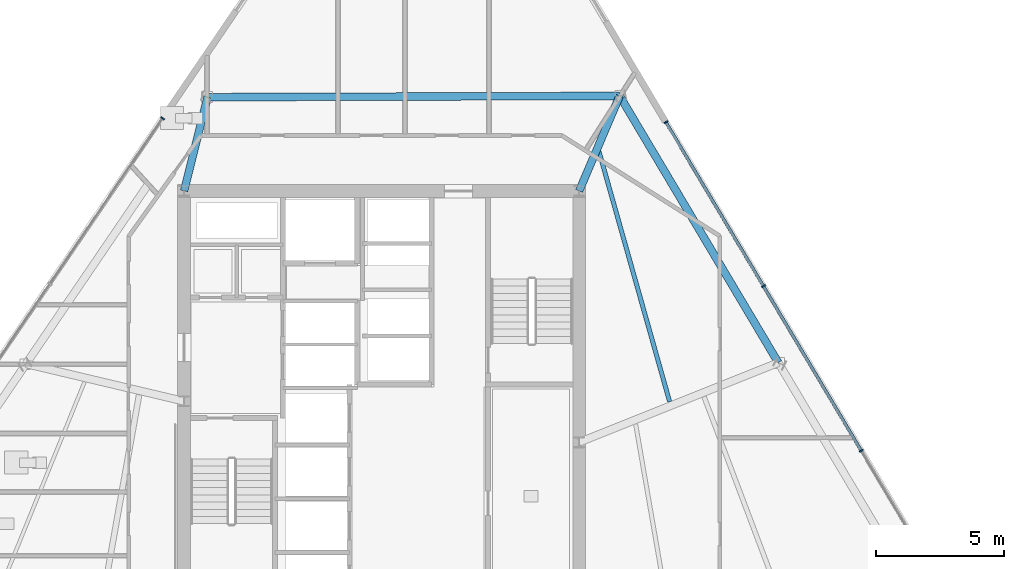
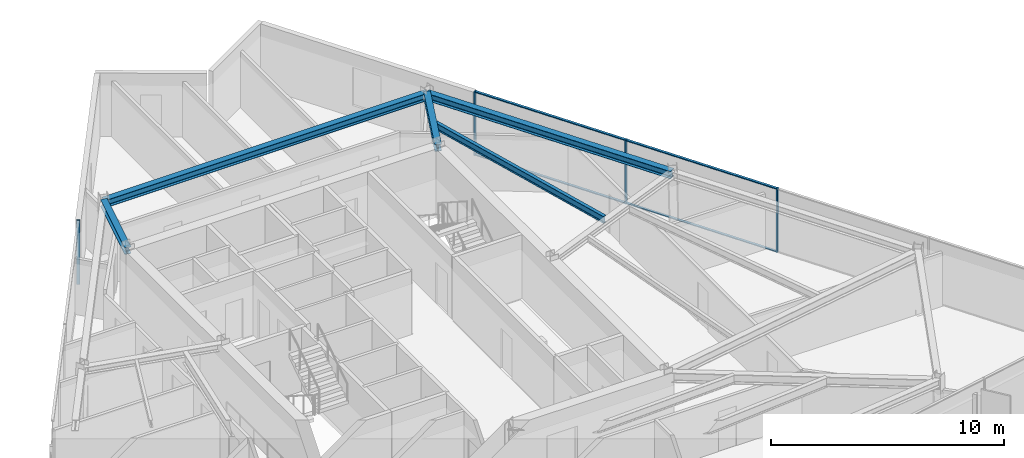
# One storey, part 6 of 15: 8 members, 5 beams, 2 elements without a shape of their own.
"""IFC4 building model written with IfcOpenShell, lengths in metres."""

from ifc_helpers import new_model, si_unit, direction, frame, origin, origin_2d, place, context, subcontext, project, spatial, rectangle, i_section, extrude, material, material_profile, profile_set, type_object, element, aggregate, save


model = new_model("IFC4")

# Units and contexts
model_context = context("Model", 3, precision=1e-05, world=origin(), true_north=direction((0.0, 1.0)))
body_context = subcontext(model_context, "Body", "Model", "MODEL_VIEW")
ifc_project = project(units=[si_unit("LENGTHUNIT", "METRE"), si_unit("AREAUNIT", "SQUARE_METRE"), si_unit("VOLUMEUNIT", "CUBIC_METRE"), si_unit("PLANEANGLEUNIT", "RADIAN"), si_unit("MASSUNIT", "GRAM", prefix="KILO")], contexts=[model_context])

# Site, building, storey
site_placement = place(None, origin())
site = spatial("IfcSite", under=ifc_project, at=site_placement, CompositionType="ELEMENT")
building_placement = place(site_placement, origin())
building = spatial("IfcBuilding", under=site, at=building_placement, Name="Savorim Split Tower", CompositionType="ELEMENT")
storey_placement = place(building_placement, frame((0.0, 0.0, 163.800048828125)))
storey = spatial("IfcBuildingStorey", under=building, at=storey_placement, Name="L43", CompositionType="ELEMENT", Elevation=163.800048828125)

# Beams
ifc_material_1 = material(Name="Steel S355", Category="steel")
ifc_material_profile_1 = material_profile(ifc_material_1, i_section(OverallWidth=0.169921875, OverallDepth=0.360107421875, WebThickness=0.008056640625, FlangeThickness=0.0126953125, FilletRadius=0.01806640625, at=origin_2d()), Name="IPE 360")
ifc_profile_set_1 = profile_set([ifc_material_profile_1], Name="Steel S355")
beam_type_1 = type_object("IfcBeamType", Name="BM-JST-IPE360", PredefinedType="JOIST", material=ifc_profile_set_1)
beam_1_placement = place(storey_placement, frame((11.2265625, 1.9833984375, 3.169921875), z_axis=(-0.271631023761, 0.962401468687, 0.0), x_axis=(-0.962401468687, -0.271631023761, 0.0)))
element("IfcBeam", 1, at=beam_1_placement, inside=storey, type_object=beam_type_1, Name="L43 Secondary Floor Joist JS-07", PredefinedType="JOIST", context=body_context, shape_type="SweptSolid", body=[
    extrude(i_section(OverallWidth=0.169921875, OverallDepth=0.360107421875, WebThickness=0.008056640625, FlangeThickness=0.0126953125, FilletRadius=0.01806640625, at=origin_2d()), origin(), (0.0, 0.0, 1.0), 10.1474609375),
])
ifc_material_profile_2 = material_profile(ifc_material_1, i_section(OverallWidth=0.300048828125, OverallDepth=0.360107421875, WebThickness=0.012451171875, FlangeThickness=0.0224609375, FilletRadius=0.027099609375, at=origin_2d()), Name="HEB 360")
ifc_profile_set_2 = profile_set([ifc_material_profile_2], Name="Steel S355")
beam_type_2 = type_object("IfcBeamType", Name="BM-PRI-HEB360", PredefinedType="BEAM", material=ifc_profile_set_2)
beam_2_placement = place(storey_placement, frame((9.27978515625, 13.902587890625, 3.169921875), z_axis=(-0.392447578239, -0.919774373602, 0.0), x_axis=(0.919774373602, -0.392447578239, 0.0)))
element("IfcBeam", 2, at=beam_2_placement, inside=storey, type_object=beam_type_2, Name="L43 Primary Floor Girder RG-07", PredefinedType="BEAM", context=body_context, shape_type="SweptSolid", body=[
    extrude(i_section(OverallWidth=0.300048828125, OverallDepth=0.360107421875, WebThickness=0.012451171875, FlangeThickness=0.0224609375, FilletRadius=0.027099609375, at=origin_2d()), origin(), (0.0, 0.0, 1.0), 4.025634765625),
])
beam_3_placement = place(storey_placement, frame((-6.7880859375, 13.853759765625, 3.169921875), z_axis=(-0.242138999431, -0.970241570411, 0.0), x_axis=(0.970241570411, -0.242138999431, 0.0)))
element("IfcBeam", 3, at=beam_3_placement, inside=storey, type_object=beam_type_2, Name="L43 Primary Floor Girder RG-08", PredefinedType="BEAM", context=body_context, shape_type="SweptSolid", body=[
    extrude(i_section(OverallWidth=0.300048828125, OverallDepth=0.360107421875, WebThickness=0.012451171875, FlangeThickness=0.0224609375, FilletRadius=0.027099609375, at=origin_2d()), origin(), (0.0, 0.0, 1.0), 3.765869140625),
])
ifc_material_profile_3 = material_profile(ifc_material_1, i_section(OverallWidth=0.300048828125, OverallDepth=0.389892578125, WebThickness=0.010986328125, FlangeThickness=0.01904296875, FilletRadius=0.027099609375, at=origin_2d()), Name="HEA 400")
ifc_profile_set_3 = profile_set([ifc_material_profile_3], Name="Steel S355")
beam_type_3 = type_object("IfcBeamType", Name="BM-SPN-HEA400", PredefinedType="SPANDREL", material=ifc_profile_set_3)
beam_4_placement = place(storey_placement, frame((15.4609375, 3.507568359375, 3.155029296875), z_axis=(-0.511095547097, 0.859523904111, 0.0), x_axis=(-0.859523904111, -0.511095547097, 0.0)))
element("IfcBeam", 4, at=beam_4_placement, inside=storey, type_object=beam_type_3, Name="L43 Perimeter Spandrel Beam 6", PredefinedType="SPANDREL", context=body_context, shape_type="SweptSolid", body=[
    extrude(i_section(OverallWidth=0.300048828125, OverallDepth=0.389892578125, WebThickness=0.010986328125, FlangeThickness=0.01904296875, FilletRadius=0.027099609375, at=origin_2d()), origin(), (0.0, 0.0, 1.0), 12.093994140625),
])
beam_5_placement = place(storey_placement, frame((9.27978515625, 13.902587890625, 3.155029296875), z_axis=(-0.999995382675, -0.003038853079, 0.0), x_axis=(0.003038853079, -0.999995382675, 0.0)))
element("IfcBeam", 5, at=beam_5_placement, inside=storey, type_object=beam_type_3, Name="L43 Perimeter Spandrel Beam 7", PredefinedType="SPANDREL", context=body_context, shape_type="SweptSolid", body=[
    extrude(i_section(OverallWidth=0.300048828125, OverallDepth=0.389892578125, WebThickness=0.010986328125, FlangeThickness=0.01904296875, FilletRadius=0.027099609375, at=origin_2d()), origin(), (0.0, 0.0, 1.0), 16.06787109375),
])

# Curtain wall, members
ifc_material_2 = material(Name="Dark Ceramic-Fritted Insulated Glass", Category="glass")
curtain_wall_type = type_object("IfcCurtainWallType", Name="CW-TWR-FRIT-B", PredefinedType="NOTDEFINED", material=ifc_material_2)
curtain_wall_1_placement = place(storey_placement, origin())
curtain_wall_1 = element("IfcCurtainWall", 6, at=curtain_wall_1_placement, inside=storey, type_object=curtain_wall_type, Name="L43 Curtain Wall CW-L43-EAST", PredefinedType="NOTDEFINED")
ifc_material_3 = material(Name="Charcoal Anodised Aluminium", Category="aluminium")
ifc_material_profile_4 = material_profile(ifc_material_3, rectangle(XDim=0.159912109375, YDim=0.06005859375, at=origin_2d()), Name="ALU-M 160x60")
ifc_profile_set_4 = profile_set([ifc_material_profile_4], Name="Charcoal Anodised Aluminium")
member_type_1 = type_object("IfcMemberType", Name="CWM-160x60", PredefinedType="MULLION", material=ifc_profile_set_4)
member_1_placement = place(storey_placement, frame((18.6962890625, 0.07275390625, 0.0), z_axis=(0.0, 0.0, 1.0), x_axis=(-0.85952495128, -0.511093786039, 0.0)))
member_1 = element("IfcMember", 7, at=member_1_placement, type_object=member_type_1, Name="CW-03 mullion 3", PredefinedType="MULLION", context=body_context, shape_type="SweptSolid", body=[
    extrude(rectangle(XDim=0.159912109375, YDim=0.06005859375, at=origin_2d()), origin(), (0.0, 0.0, 1.0), 3.349853515625),
])
member_2_placement = place(storey_placement, frame((14.8818359375, 6.48779296875, 0.0), z_axis=(0.0, 0.0, 1.0), x_axis=(-0.85952495128, -0.511093786039, 0.0)))
member_2 = element("IfcMember", 8, at=member_2_placement, type_object=member_type_1, Name="CW-03 mullion 4", PredefinedType="MULLION", context=body_context, shape_type="SweptSolid", body=[
    extrude(rectangle(XDim=0.159912109375, YDim=0.06005859375, at=origin_2d()), origin(), (0.0, 0.0, 1.0), 3.349853515625),
])
member_3_placement = place(storey_placement, frame((11.08251953125, 12.877197265625, 0.0), z_axis=(0.0, 0.0, 1.0), x_axis=(-0.85952495128, -0.511093786039, 0.0)))
member_3 = element("IfcMember", 9, at=member_3_placement, type_object=member_type_1, Name="CW-03 mullion 5", PredefinedType="MULLION", context=body_context, shape_type="SweptSolid", body=[
    extrude(rectangle(XDim=0.159912109375, YDim=0.06005859375, at=origin_2d()), origin(), (0.0, 0.0, 1.0), 3.349853515625),
])

# Curtain wall, member
curtain_wall_2_placement = place(storey_placement, origin())
curtain_wall_2 = element("IfcCurtainWall", 10, at=curtain_wall_2_placement, inside=storey, type_object=curtain_wall_type, Name="L43 Curtain Wall CW-L43-WEST", PredefinedType="NOTDEFINED")
member_4_placement = place(storey_placement, frame((-8.533935546875, 13.028564453125, 0.0), z_axis=(0.0, 0.0, 1.0), x_axis=(0.826819248854, -0.562467714384, 0.0)))
member_4 = element("IfcMember", 11, at=member_4_placement, type_object=member_type_1, Name="CW-03 mullion 1", PredefinedType="MULLION", context=body_context, shape_type="SweptSolid", body=[
    extrude(rectangle(XDim=0.159912109375, YDim=0.06005859375, at=origin_2d()), origin(), (0.0, 0.0, 1.0), 3.349853515625),
])
aggregate(curtain_wall_2, [member_4])

# Member
ifc_material_profile_5 = material_profile(ifc_material_3, rectangle(XDim=0.1201171875, YDim=0.050048828125, at=origin_2d()), Name="ALU-T 120x50")
ifc_profile_set_5 = profile_set([ifc_material_profile_5], Name="Charcoal Anodised Aluminium")
member_type_2 = type_object("IfcMemberType", Name="CWT-120x50", PredefinedType="USERDEFINED", material=ifc_profile_set_5)
member_5_placement = place(storey_placement, frame((18.680908203125, 0.0986328125, 0.02490234375), z_axis=(-0.511097121727, 0.859522967792, 0.0), x_axis=(-0.859522967792, -0.511097121727, 0.0)))
member_5 = element("IfcMember", 12, at=member_5_placement, type_object=member_type_2, Name="CW-03 transom 3.1", ObjectType="TRANSOM", PredefinedType="USERDEFINED", context=body_context, shape_type="SweptSolid", body=[
    extrude(rectangle(XDim=0.1201171875, YDim=0.050048828125, at=origin_2d()), origin(), (0.0, 0.0, 1.0), 7.403564453125),
])

member_6_placement = place(storey_placement, frame((18.680908203125, 0.0986328125, 3.324951171875), z_axis=(-0.511097121727, 0.859522967792, 0.0), x_axis=(-0.859522967792, -0.511097121727, 0.0)))
member_6 = element("IfcMember", 13, at=member_6_placement, type_object=member_type_2, Name="CW-03 transom 3.2", ObjectType="TRANSOM", PredefinedType="USERDEFINED", context=body_context, shape_type="SweptSolid", body=[
    extrude(rectangle(XDim=0.1201171875, YDim=0.050048828125, at=origin_2d()), origin(), (0.0, 0.0, 1.0), 7.403564453125),
])

member_7_placement = place(storey_placement, frame((14.866455078125, 6.513671875, 0.02490234375), z_axis=(-0.511097871575, 0.859522521911, 0.0), x_axis=(-0.859522521911, -0.511097871575, 0.0)))
member_7 = element("IfcMember", 14, at=member_7_placement, type_object=member_type_2, Name="CW-03 transom 4.1", ObjectType="TRANSOM", PredefinedType="USERDEFINED", context=body_context, shape_type="SweptSolid", body=[
    extrude(rectangle(XDim=0.1201171875, YDim=0.050048828125, at=origin_2d()), origin(), (0.0, 0.0, 1.0), 7.37353515625),
])

member_8_placement = place(storey_placement, frame((14.866455078125, 6.513671875, 3.324951171875), z_axis=(-0.511097871575, 0.859522521911, 0.0), x_axis=(-0.859522521911, -0.511097871575, 0.0)))
member_8 = element("IfcMember", 15, at=member_8_placement, type_object=member_type_2, Name="CW-03 transom 4.2", ObjectType="TRANSOM", PredefinedType="USERDEFINED", context=body_context, shape_type="SweptSolid", body=[
    extrude(rectangle(XDim=0.1201171875, YDim=0.050048828125, at=origin_2d()), origin(), (0.0, 0.0, 1.0), 7.37353515625),
])

aggregate(curtain_wall_1, [member_1, member_2, member_3, member_5, member_6, member_7, member_8])

save(model, "model.ifc")
